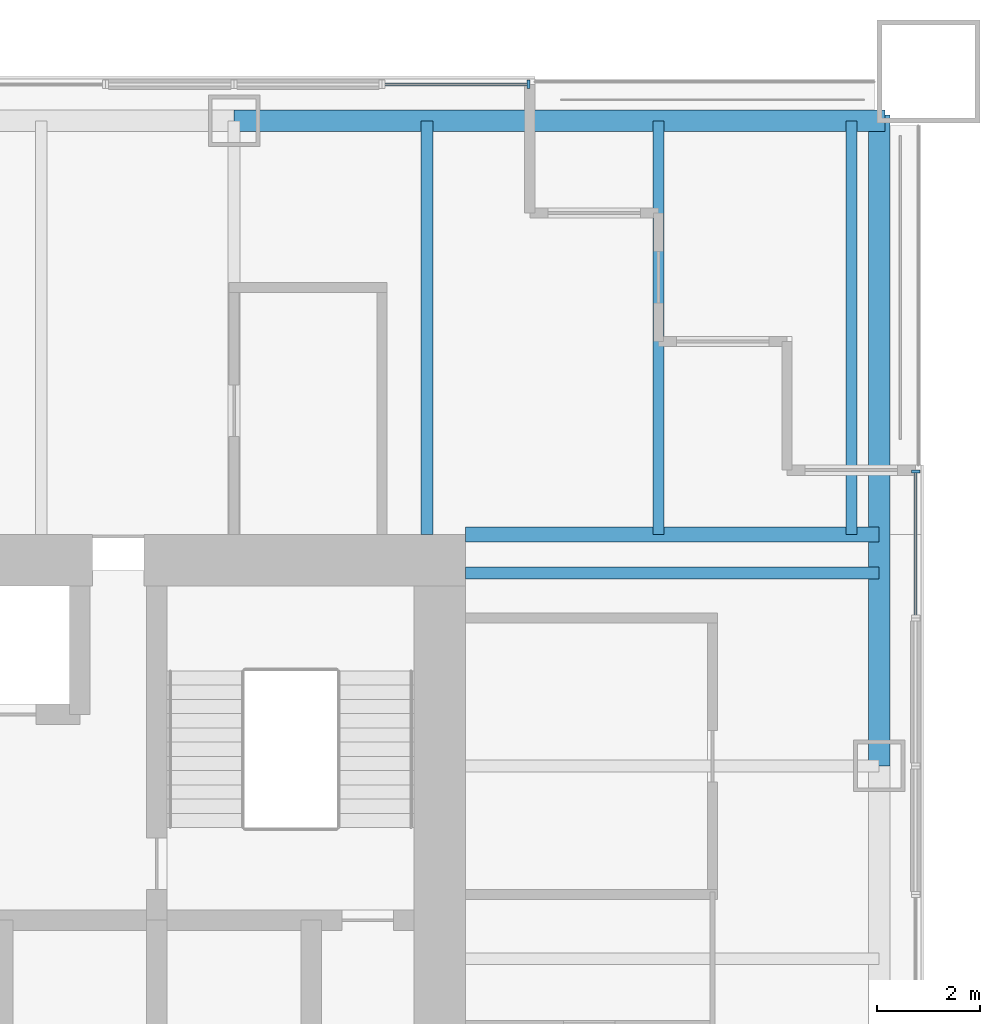
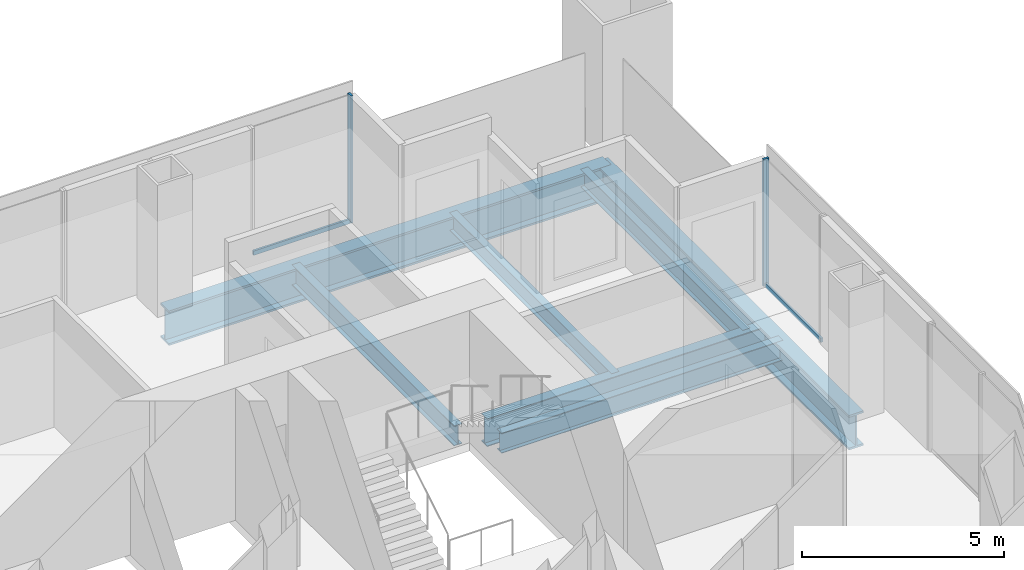
# One storey, part 7 of 14: 7 beams, 4 members, 2 elements without a shape of their own.
"""IFC4 building model written with IfcOpenShell, lengths in metres."""

from ifc_helpers import new_model, si_unit, direction, frame, origin, origin_2d, place, context, subcontext, project, spatial, rectangle, i_section, extrude, material, material_profile, profile_set, type_object, element, aggregate, save


model = new_model("IFC4")

# Units and contexts
model_context = context("Model", 3, precision=1e-05, world=origin(), true_north=direction((0.0, 1.0)))
body_context = subcontext(model_context, "Body", "Model", "MODEL_VIEW")
ifc_project = project(units=[si_unit("LENGTHUNIT", "METRE"), si_unit("AREAUNIT", "SQUARE_METRE"), si_unit("VOLUMEUNIT", "CUBIC_METRE"), si_unit("PLANEANGLEUNIT", "RADIAN"), si_unit("MASSUNIT", "GRAM", prefix="KILO")], contexts=[model_context])

# Site, building, storey
site_placement = place(None, origin())
site = spatial("IfcSite", under=ifc_project, at=site_placement, CompositionType="ELEMENT")
building_placement = place(site_placement, origin())
building = spatial("IfcBuilding", under=site, at=building_placement, Name="Tarangal Relay Tower", CompositionType="ELEMENT")
storey_placement = place(building_placement, frame((0.0, 0.0, 307.89990234375)))
storey = spatial("IfcBuildingStorey", under=building, at=storey_placement, Name="L68", CompositionType="ELEMENT", Elevation=307.89990234375)

# Beams
ifc_material_1 = material(Name="Steel ASTM A992", Category="steel")
ifc_material_profile_1 = material_profile(ifc_material_1, i_section(OverallWidth=0.209228515625, OverallDepth=0.533447265625, WebThickness=0.01025390625, FlangeThickness=0.015625, at=origin_2d()), Name="W21X62")
ifc_profile_set_1 = profile_set([ifc_material_profile_1], Name="Steel ASTM A992")
beam_type_1 = type_object("IfcBeamType", Name="Corner beam W21X62", PredefinedType="JOIST", material=ifc_profile_set_1)
for number, where, z_axis, x_axis, name in (
    (1, (15.75, 12.0, -0.41650390625), (0.0, 1.0, 0.0), (-1.0, 0.0, 0.0), "Corner beam CB12 N L68"),
    (2, (19.5, 12.0, -0.41650390625), (0.0, 1.0, 0.0), (-1.0, 0.0, 0.0), "Corner beam CB12 N L68"),
):
    element("IfcBeam", number, at=place(storey_placement, frame(where, z_axis=z_axis, x_axis=x_axis)), inside=storey, type_object=beam_type_1, Name=name, PredefinedType="JOIST", context=body_context, shape_type="SweptSolid", body=[
        extrude(i_section(OverallWidth=0.209228515625, OverallDepth=0.533447265625, WebThickness=0.01025390625, FlangeThickness=0.015625, at=origin_2d()), origin(), (0.0, 0.0, 1.0), 8.0400390625),
    ])
ifc_material_profile_2 = material_profile(ifc_material_1, i_section(OverallWidth=0.2919921875, OverallDepth=0.8408203125, WebThickness=0.0146484375, FlangeThickness=0.021728515625, at=origin_2d()), Name="W33X130")
ifc_profile_set_2 = profile_set([ifc_material_profile_2], Name="Steel ASTM A992")
beam_type_2 = type_object("IfcBeamType", Name="Corner girder W33X130", PredefinedType="BEAM", material=ifc_profile_set_2)
beam_placement = place(storey_placement, frame((12.0, 12.0, -0.5703125), z_axis=(1.0, 0.0, 0.0), x_axis=(0.0, 1.0, 0.0)))
element("IfcBeam", 3, at=beam_placement, inside=storey, type_object=beam_type_2, Name="Corner girder CG5 N L68", PredefinedType="BEAM", context=body_context, shape_type="SweptSolid", body=[
    extrude(i_section(OverallWidth=0.2919921875, OverallDepth=0.8408203125, WebThickness=0.0146484375, FlangeThickness=0.021728515625, at=origin_2d()), origin(), (0.0, 0.0, 1.0), 8.0400390625),
])
ifc_material_profile_3 = material_profile(ifc_material_1, i_section(OverallWidth=0.41162109375, OverallDepth=1.049072265625, WebThickness=0.033935546875, FlangeThickness=0.059814453125, at=origin_2d()), Name="W40X431")
ifc_profile_set_3 = profile_set([ifc_material_profile_3], Name="Steel ASTM A992")
beam_type_3 = type_object("IfcBeamType", Name="Edge girder W40X431", PredefinedType="SPANDREL", material=ifc_profile_set_3)
for number, where, z_axis, x_axis, name in (
    (4, (7.5, 20.0400390625, -0.67431640625), (1.0, 0.0, 0.0), (0.0, 1.0, 0.0), "Edge girder EG1 N L68"),
    (5, (20.0400390625, 20.14990234375, -0.67431640625), (0.0, -1.0, 0.0), (1.0, 0.0, 0.0), "Edge girder EG1 E L68"),
):
    element("IfcBeam", number, at=place(storey_placement, frame(where, z_axis=z_axis, x_axis=x_axis)), inside=storey, type_object=beam_type_3, Name=name, PredefinedType="SPANDREL", context=body_context, shape_type="SweptSolid", body=[
        extrude(i_section(OverallWidth=0.41162109375, OverallDepth=1.049072265625, WebThickness=0.033935546875, FlangeThickness=0.059814453125, at=origin_2d()), origin(), (0.0, 0.0, 1.0), 12.64990234375),
    ])
ifc_material_profile_4 = material_profile(ifc_material_1, i_section(OverallWidth=0.228271484375, OverallDepth=0.607177734375, WebThickness=0.01123046875, FlangeThickness=0.017333984375, at=origin_2d()), Name="W24X76")
ifc_profile_set_4 = profile_set([ifc_material_profile_4], Name="Steel ASTM A992")
beam_type_4 = type_object("IfcBeamType", Name="Floor beam W24X76", PredefinedType="BEAM", material=ifc_profile_set_4)
for number, where, z_axis, x_axis, name in (
    (6, (11.25, 12.0, -0.453369140625), (0.0, 1.0, 0.0), (-1.0, 0.0, 0.0), "Floor beam RB5 N L68"),
    (7, (12.0, 11.25, -0.453369140625), (1.0, 0.0, 0.0), (0.0, 1.0, 0.0), "Floor beam RB5 E L68"),
):
    element("IfcBeam", number, at=place(storey_placement, frame(where, z_axis=z_axis, x_axis=x_axis)), inside=storey, type_object=beam_type_4, Name=name, PredefinedType="BEAM", context=body_context, shape_type="SweptSolid", body=[
        extrude(i_section(OverallWidth=0.228271484375, OverallDepth=0.607177734375, WebThickness=0.01123046875, FlangeThickness=0.017333984375, at=origin_2d()), origin(), (0.0, 0.0, 1.0), 8.0400390625),
    ])

# Curtain wall, member
ifc_material_2 = material(Name="Unitised curtain wall, dark glass and black aluminium", Category="aluminium")
curtain_wall_type = type_object("IfcCurtainWallType", Name="Curtain wall CW-B", PredefinedType="USERDEFINED", material=ifc_material_2)
curtain_wall_1_placement = place(storey_placement, origin())
curtain_wall_1 = element("IfcCurtainWall", 8, at=curtain_wall_1_placement, inside=storey, type_object=curtain_wall_type, Name="Curtain wall CW-B N facade L68", ObjectType="UNITISED CURTAIN WALL", PredefinedType="USERDEFINED")
ifc_material_3 = material(Name="Black anodised aluminium mullion", Category="aluminium")
ifc_material_profile_5 = material_profile(ifc_material_3, rectangle(XDim=0.159912109375, YDim=0.06005859375, at=origin_2d()), Name="CW-BM 60X160")
ifc_profile_set_5 = profile_set([ifc_material_profile_5], Name="Black anodised aluminium mullion")
member_type_1 = type_object("IfcMemberType", Name="Mullion CW-B 60 x 160", PredefinedType="MULLION", material=ifc_profile_set_5)
member_1_placement = place(storey_placement, frame((13.219970703125, 20.75, 0.0), z_axis=(0.0, 0.0, 1.0), x_axis=(0.0, 1.0, 0.0)))
member_1 = element("IfcMember", 9, at=member_1_placement, type_object=member_type_1, Name="CW-B mullion 2", PredefinedType="MULLION", context=body_context, shape_type="SweptSolid", body=[
    extrude(rectangle(XDim=0.159912109375, YDim=0.06005859375, at=origin_2d()), origin(), (0.0, 0.0, 1.0), 3.85009765625),
])

curtain_wall_2_placement = place(storey_placement, origin())
curtain_wall_2 = element("IfcCurtainWall", 10, at=curtain_wall_2_placement, inside=storey, type_object=curtain_wall_type, Name="Curtain wall CW-B E facade L68", ObjectType="UNITISED CURTAIN WALL", PredefinedType="USERDEFINED")
member_2_placement = place(storey_placement, frame((20.75, 13.219970703125, 0.0), z_axis=(0.0, 0.0, 1.0), x_axis=(1.0, 0.0, 0.0)))
member_2 = element("IfcMember", 11, at=member_2_placement, type_object=member_type_1, Name="CW-B mullion 1", PredefinedType="MULLION", context=body_context, shape_type="SweptSolid", body=[
    extrude(rectangle(XDim=0.159912109375, YDim=0.06005859375, at=origin_2d()), origin(), (0.0, 0.0, 1.0), 3.85009765625),
])

# Member
ifc_material_4 = material(Name="Black anodised aluminium transom", Category="aluminium")
ifc_material_profile_6 = material_profile(ifc_material_4, rectangle(XDim=0.06005859375, YDim=0.1298828125, at=origin_2d()), Name="CW-BT 60X130")
ifc_profile_set_6 = profile_set([ifc_material_profile_6], Name="Black anodised aluminium transom")
member_type_2 = type_object("IfcMemberType", Name="Transom CW-B 60 x 130", PredefinedType="USERDEFINED", material=ifc_profile_set_6)
member_3_placement = place(storey_placement, frame((10.43505859375, 20.75, 0.030029296875), z_axis=(1.0, 0.0, 0.0), x_axis=(0.0, 1.0, 0.0)))
member_3 = element("IfcMember", 12, at=member_3_placement, type_object=member_type_2, Name="CW-B transom 1.1", ObjectType="TRANSOM", PredefinedType="USERDEFINED", context=body_context, shape_type="SweptSolid", body=[
    extrude(rectangle(XDim=0.06005859375, YDim=0.1298828125, at=origin_2d()), origin(), (0.0, 0.0, 1.0), 2.7548828125),
])

aggregate(curtain_wall_1, [member_1, member_3])

member_4_placement = place(storey_placement, frame((20.75, 13.18994140625, 0.030029296875), z_axis=(0.0, -1.0, 0.0), x_axis=(1.0, 0.0, 0.0)))
member_4 = element("IfcMember", 13, at=member_4_placement, type_object=member_type_2, Name="CW-B transom 1.1", ObjectType="TRANSOM", PredefinedType="USERDEFINED", context=body_context, shape_type="SweptSolid", body=[
    extrude(rectangle(XDim=0.06005859375, YDim=0.1298828125, at=origin_2d()), origin(), (0.0, 0.0, 1.0), 2.7548828125),
])

aggregate(curtain_wall_2, [member_2, member_4])

save(model, "model.ifc")
